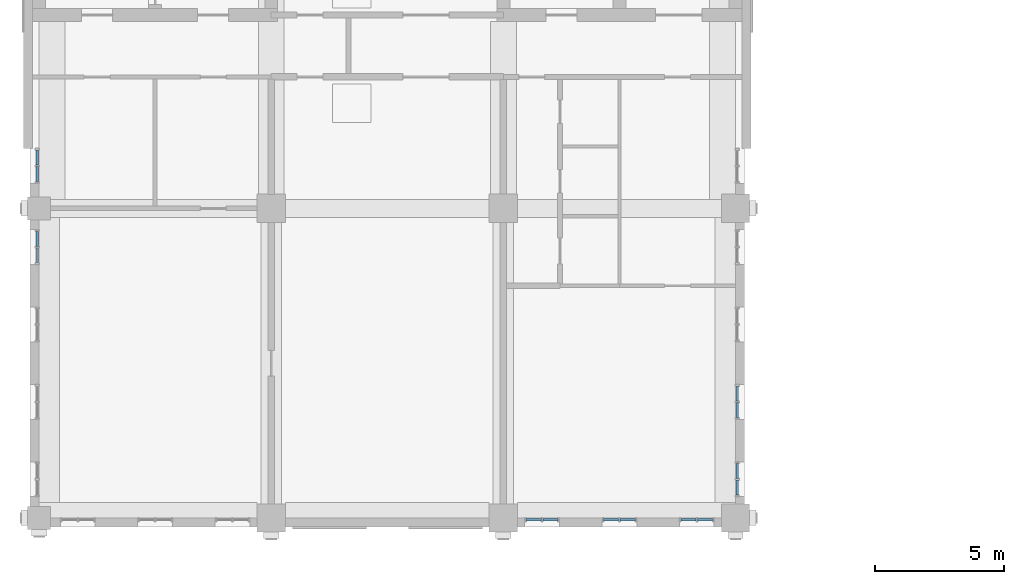
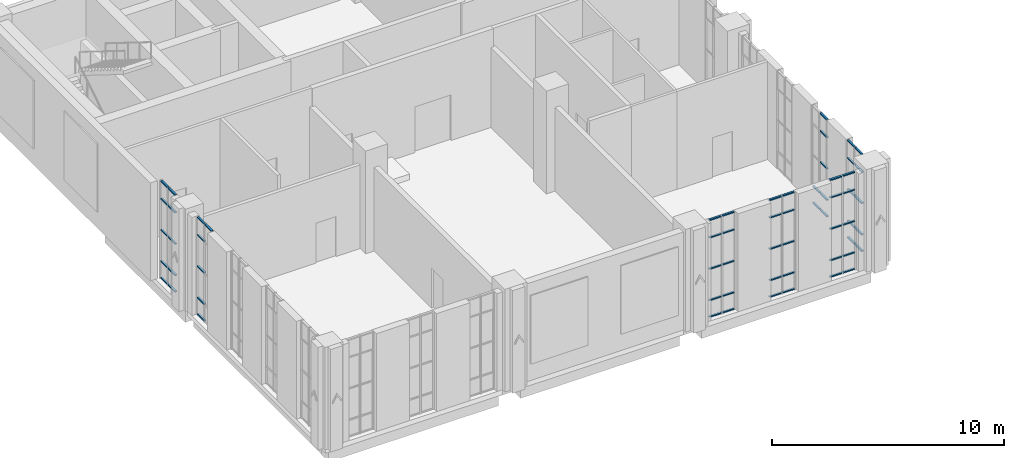
# One storey, part 7 of 22: 63 members, 7 elements without a shape of their own.
"""IFC4 building model written with IfcOpenShell, lengths in metres."""

import ifcopenshell
import ifcopenshell.guid

model = None  # the IFC model being written
_history = None  # IfcOwnerHistory: only IFC2X3 demands one
_inside = {}  # id of a spatial element -> (the spatial element, [elements in it])
_under = {}  # id of a project, library or spatial element -> (it, [spatial elements below it])
_declared = {}  # id of a project -> (the project, [libraries it declares])
_typed = {}  # id of a type object -> (the type object, [elements of that type])
_made_of = {}  # id of a material, layer set ... -> (it, [elements and type objects made of it])


def new_model(schema):
    """Start an empty IFC model of exactly this schema.

    Asked for "IFC4X3", IfcOpenShell would pick the latest addendum, in which some entities
    have other attributes; the version numbers below select the first issue.
    IFC2X3 requires an IfcOwnerHistory on every rooted entity: one is made here for all.
    """
    global model, _history
    if schema == "IFC4X3":
        model = ifcopenshell.file(schema_version=(4, 3, 0, 0))
    else:
        model = ifcopenshell.file(schema=schema)
    _inside.clear()
    _under.clear()
    _declared.clear()
    _typed.clear()
    _made_of.clear()
    _history = None
    if model.schema == "IFC2X3":
        org = make("IfcOrganization", Name="unknown")
        user = make(
            "IfcPersonAndOrganization",
            ThePerson=make("IfcPerson", FamilyName="unknown"),
            TheOrganization=org,
        )
        app = make(
            "IfcApplication",
            ApplicationDeveloper=org,
            Version="unknown",
            ApplicationFullName="unknown",
            ApplicationIdentifier="unknown",
        )
        _history = make(
            "IfcOwnerHistory",
            OwningUser=user,
            OwningApplication=app,
            ChangeAction="ADDED",
            CreationDate=0,
        )
    return model


def make(cls, **values):
    """One entity of the class cls with the attributes given. An attribute that is None is left unset."""
    return model.create_entity(
        cls, **{name: value for name, value in values.items() if value is not None}
    )


def rooted(cls, **values):
    """An entity with a GlobalId (a new one), such as an element, a storey or a relation."""
    return make(cls, GlobalId=ifcopenshell.guid.new(), OwnerHistory=_history, **values)


def si_unit(unit_type, name, prefix=None):
    """IfcSIUnit, for example si_unit("LENGTHUNIT", "METRE", prefix="MILLI")."""
    return make("IfcSIUnit", UnitType=unit_type, Prefix=prefix, Name=name)


def assignment(units):
    """IfcUnitAssignment: the units of a project."""
    return None if units is None else make("IfcUnitAssignment", Units=units)


def point(xyz):
    """IfcCartesianPoint."""
    return None if xyz is None else make("IfcCartesianPoint", Coordinates=xyz)


def direction(xyz):
    """IfcDirection."""
    return None if xyz is None else make("IfcDirection", DirectionRatios=xyz)


def frame(location, z_axis=None, x_axis=None):
    """IfcAxis2Placement3D, a coordinate frame: its origin and axes. An axis left out is left unset."""
    return make(
        "IfcAxis2Placement3D",
        Location=point(location),
        Axis=direction(z_axis),
        RefDirection=direction(x_axis),
    )


def frame_2d(location, x_axis=None):
    """IfcAxis2Placement2D, a coordinate frame in the plane: its origin and x axis."""
    return make(
        "IfcAxis2Placement2D", Location=point(location), RefDirection=direction(x_axis)
    )


def origin():
    """The frame at (0, 0, 0) with its axes left unset."""
    return frame((0.0, 0.0, 0.0))


def origin_2d():
    """The frame at (0, 0) in the plane with its x axis left unset."""
    return frame_2d((0.0, 0.0))


def place(relative_to, where):
    """IfcLocalPlacement: puts the frame where relative to a parent placement (None: the world)."""
    return make(
        "IfcLocalPlacement", PlacementRelTo=relative_to, RelativePlacement=where
    )


def context(
    kind, dimensions, precision=None, world=None, true_north=None, identifier=None
):
    """IfcGeometricRepresentationContext, for example the 3D "Model" context."""
    return make(
        "IfcGeometricRepresentationContext",
        ContextIdentifier=identifier,
        ContextType=kind,
        CoordinateSpaceDimension=dimensions,
        Precision=precision,
        WorldCoordinateSystem=world,
        TrueNorth=true_north,
    )


def subcontext(parent, identifier, kind, view, scale=None):
    """IfcGeometricRepresentationSubContext, for example "Body" below "Model"."""
    return make(
        "IfcGeometricRepresentationSubContext",
        ContextIdentifier=identifier,
        ContextType=kind,
        ParentContext=parent,
        TargetScale=scale,
        TargetView=view,
    )


def project(units=None, contexts=None):
    """IfcProject with its units and contexts."""
    return rooted(
        "IfcProject",
        Name="project",
        RepresentationContexts=contexts,
        UnitsInContext=assignment(units),
    )


def spatial(cls, under=None, at=None, **own):
    """A site, building, storey or space (cls), placed at a placement, below another one or the project."""
    s = rooted(cls, ObjectPlacement=at, **own)
    if under is not None:
        _under.setdefault(under.id(), (under, []))[1].append(s)
    return s


def profile(cls, at=None, kind="AREA", **sizes):
    """A parametric profile (cls). Its sizes go by their IFC names, for example OverallWidth=200.0."""
    return make(cls, ProfileType=kind, Position=at, **sizes)


def rectangle(**sizes):
    """IfcRectangleProfileDef."""
    return profile("IfcRectangleProfileDef", **sizes)


def extrude(swept, where, along, depth):
    """IfcExtrudedAreaSolid: the profile swept, set in the frame where, extruded along a direction by depth."""
    return make(
        "IfcExtrudedAreaSolid",
        SweptArea=swept,
        Position=where,
        ExtrudedDirection=direction(along),
        Depth=depth,
    )


def shape(context_of_items, identifier, shape_type, items):
    """IfcShapeRepresentation: the items that make up one representation, for example the "Body"."""
    return make(
        "IfcShapeRepresentation",
        ContextOfItems=context_of_items,
        RepresentationIdentifier=identifier,
        RepresentationType=shape_type,
        Items=items,
    )


def material(Name=None, Category=None):
    """IfcMaterial."""
    return make("IfcMaterial", Name=Name, Category=Category)


def layer(
    of_material, thickness, ventilated=None, Name=None, Category=None, Priority=None
):
    """IfcMaterialLayer: one layer of a wall or slab, of a material (None: an air gap)."""
    return make(
        "IfcMaterialLayer",
        Material=of_material,
        LayerThickness=thickness,
        IsVentilated=ventilated,
        Name=Name,
        Category=Category,
        Priority=Priority,
    )


def layer_set(layers, Name=None):
    """IfcMaterialLayerSet."""
    return make("IfcMaterialLayerSet", MaterialLayers=layers, LayerSetName=Name)


def material_profile(
    of_material, cross_section, Name=None, Category=None, Priority=None
):
    """IfcMaterialProfile: a cross section and its material."""
    return make(
        "IfcMaterialProfile",
        Name=Name,
        Material=of_material,
        Profile=cross_section,
        Priority=Priority,
        Category=Category,
    )


def profile_set(profiles, Name=None, composite=None):
    """IfcMaterialProfileSet."""
    return make(
        "IfcMaterialProfileSet",
        Name=Name,
        MaterialProfiles=profiles,
        CompositeProfile=composite,
    )


def made_of(thing, what):
    """Note that an element or type object is made of a material, layer set ...; save() writes the relation."""
    if what is not None:
        _made_of.setdefault(what.id(), (what, []))[1].append(thing)
    return thing


def type_object(cls, material=None, **own):
    """A type object (cls), such as IfcWallType, which elements share."""
    return made_of(rooted(cls, **own), material)


def element(
    cls,
    number,
    at=None,
    inside=None,
    cuts=None,
    type_object=None,
    material=None,
    context=None,
    identifier="Body",
    shape_type=None,
    held_by="IfcProductDefinitionShape",
    body=None,
    shapes=None,
    **own,
):
    """One element of the class cls, such as IfcWall. Its Tag is "e" and its number.

    at: its placement. inside: the storey or other place that contains it. cuts: it is an
    opening in that element (IfcRelVoidsElement). A single representation is given by context,
    identifier, shape_type and body (its items); several are given by shapes. held_by: the class
    of the entity that holds the representations. save() writes the other relations.
    """
    e = rooted(cls, Tag="e%d" % number, ObjectPlacement=at, **own)
    if body is not None:
        shapes = [shape(context, identifier, shape_type, body)]
    if shapes is not None:
        e.Representation = make(held_by, Representations=shapes)
    if inside is not None:
        _inside.setdefault(inside.id(), (inside, []))[1].append(e)
    if cuts is not None:
        rooted(
            "IfcRelVoidsElement", RelatingBuildingElement=cuts, RelatedOpeningElement=e
        )
    if type_object is not None:
        _typed.setdefault(type_object.id(), (type_object, []))[1].append(e)
    return made_of(e, material)


def aggregate(whole, parts):
    """IfcRelAggregates: a whole, such as a stair, and the parts it consists of."""
    return rooted("IfcRelAggregates", RelatingObject=whole, RelatedObjects=parts)


def save(model, path):
    """Write the relations noted so far, then the file.

    IfcRelAggregates (storeys below a building ...), IfcRelContainedInSpatialStructure (elements
    in a storey), IfcRelDefinesByType, IfcRelAssociatesMaterial and IfcRelDeclares: one each for
    every whole, place, type object, material and project.
    """
    for whole, parts in _under.values():
        aggregate(whole, parts)
    for where, things in _inside.values():
        rooted(
            "IfcRelContainedInSpatialStructure",
            RelatedElements=things,
            RelatingStructure=where,
        )
    for kind, things in _typed.values():
        rooted("IfcRelDefinesByType", RelatedObjects=things, RelatingType=kind)
    for what, things in _made_of.values():
        rooted("IfcRelAssociatesMaterial", RelatedObjects=things, RelatingMaterial=what)
    for by, libraries in _declared.values():
        rooted("IfcRelDeclares", RelatingContext=by, RelatedDefinitions=libraries)
    model.write(path)


model = new_model("IFC4")

# Units and contexts
model_context = context("Model", 3, precision=1e-05, world=origin(), true_north=direction((0.0, 1.0)))
body_context = subcontext(model_context, "Body", "Model", "MODEL_VIEW")
ifc_project = project(units=[si_unit("LENGTHUNIT", "METRE"), si_unit("AREAUNIT", "SQUARE_METRE"), si_unit("VOLUMEUNIT", "CUBIC_METRE"), si_unit("PLANEANGLEUNIT", "RADIAN"), si_unit("MASSUNIT", "GRAM", prefix="KILO")], contexts=[model_context])

# Site, building, storey
site_placement = place(None, origin())
site = spatial("IfcSite", under=ifc_project, at=site_placement, CompositionType="ELEMENT")
building_placement = place(site_placement, origin())
building = spatial("IfcBuilding", under=site, at=building_placement, Name="Aurelan Courthouse", CompositionType="ELEMENT")
storey_placement = place(building_placement, frame((0.0, 0.0, 39.0)))
storey = spatial("IfcBuildingStorey", under=building, at=storey_placement, Name="L07", CompositionType="ELEMENT", Elevation=39.0)

# Curtain wall, members
ifc_material_1 = material(Name="Bronze-finished aluminium and glass", Category="aluminium")
ifc_layer = layer(ifc_material_1, 0.14990234375)
ifc_layer_set = layer_set([ifc_layer], Name="Bronze-finished aluminium and glass")
curtain_wall_type = type_object("IfcCurtainWallType", Name="Curtain wall 1350 x 5150", PredefinedType="NOTDEFINED", material=ifc_layer_set)
curtain_wall_1_placement = place(storey_placement, origin())
curtain_wall_1 = element("IfcCurtainWall", 1, at=curtain_wall_1_placement, inside=storey, type_object=curtain_wall_type, Name="Curtain wall CW-V5-L07-S04", PredefinedType="NOTDEFINED")
ifc_material_2 = material(Name="Bronze-finished aluminium", Category="aluminium")
ifc_material_profile = material_profile(ifc_material_2, rectangle(XDim=0.10009765625, YDim=0.06005859375, at=origin_2d()), Name="Bronze transom 60 x 100")
ifc_profile_set = profile_set([ifc_material_profile], Name="Bronze-finished aluminium")
member_type = type_object("IfcMemberType", Name="Curtain wall transom 60 x 100", PredefinedType="USERDEFINED", material=ifc_profile_set)
member_1_placement = place(storey_placement, frame((18.885009765625, -0.074951171875, 0.030029296875), z_axis=(1.0, 0.0, 0.0), x_axis=(0.0, 1.0, 0.0)))
member_1 = element("IfcMember", 2, at=member_1_placement, type_object=member_type, Name="CW-V5-L07-S04 transom 1.1", ObjectType="TRANSOM", PredefinedType="USERDEFINED", context=body_context, shape_type="SweptSolid", body=[
    extrude(rectangle(XDim=0.10009765625, YDim=0.06005859375, at=origin_2d()), origin(), (0.0, 0.0, 1.0), 0.5849609375),
])
member_2_placement = place(storey_placement, frame((18.885009765625, -0.074951171875, 0.89990234375), z_axis=(1.0, 0.0, 0.0), x_axis=(0.0, 1.0, 0.0)))
member_2 = element("IfcMember", 3, at=member_2_placement, type_object=member_type, Name="CW-V5-L07-S04 transom 1.2", ObjectType="TRANSOM", PredefinedType="USERDEFINED", context=body_context, shape_type="SweptSolid", body=[
    extrude(rectangle(XDim=0.10009765625, YDim=0.06005859375, at=origin_2d()), origin(), (0.0, 0.0, 1.0), 0.5849609375),
])
member_3_placement = place(storey_placement, frame((18.885009765625, -0.074951171875, 2.550048828125), z_axis=(1.0, 0.0, 0.0), x_axis=(0.0, 1.0, 0.0)))
member_3 = element("IfcMember", 4, at=member_3_placement, type_object=member_type, Name="CW-V5-L07-S04 transom 1.3", ObjectType="TRANSOM", PredefinedType="USERDEFINED", context=body_context, shape_type="SweptSolid", body=[
    extrude(rectangle(XDim=0.10009765625, YDim=0.06005859375, at=origin_2d()), origin(), (0.0, 0.0, 1.0), 0.5849609375),
])
member_4_placement = place(storey_placement, frame((18.885009765625, -0.074951171875, 4.199951171875), z_axis=(1.0, 0.0, 0.0), x_axis=(0.0, 1.0, 0.0)))
member_4 = element("IfcMember", 5, at=member_4_placement, type_object=member_type, Name="CW-V5-L07-S04 transom 1.4", ObjectType="TRANSOM", PredefinedType="USERDEFINED", context=body_context, shape_type="SweptSolid", body=[
    extrude(rectangle(XDim=0.10009765625, YDim=0.06005859375, at=origin_2d()), origin(), (0.0, 0.0, 1.0), 0.5849609375),
])
member_5_placement = place(storey_placement, frame((18.885009765625, -0.074951171875, 5.1201171875), z_axis=(1.0, 0.0, 0.0), x_axis=(0.0, 1.0, 0.0)))
member_5 = element("IfcMember", 6, at=member_5_placement, type_object=member_type, Name="CW-V5-L07-S04 transom 1.5", ObjectType="TRANSOM", PredefinedType="USERDEFINED", context=body_context, shape_type="SweptSolid", body=[
    extrude(rectangle(XDim=0.10009765625, YDim=0.06005859375, at=origin_2d()), origin(), (0.0, 0.0, 1.0), 0.5849609375),
])
member_6_placement = place(storey_placement, frame((19.530029296875, -0.074951171875, 0.030029296875), z_axis=(1.0, 0.0, 0.0), x_axis=(0.0, 1.0, 0.0)))
member_6 = element("IfcMember", 7, at=member_6_placement, type_object=member_type, Name="CW-V5-L07-S04 transom 2.1", ObjectType="TRANSOM", PredefinedType="USERDEFINED", context=body_context, shape_type="SweptSolid", body=[
    extrude(rectangle(XDim=0.10009765625, YDim=0.06005859375, at=origin_2d()), origin(), (0.0, 0.0, 1.0), 0.5849609375),
])
member_7_placement = place(storey_placement, frame((19.530029296875, -0.074951171875, 0.89990234375), z_axis=(1.0, 0.0, 0.0), x_axis=(0.0, 1.0, 0.0)))
member_7 = element("IfcMember", 8, at=member_7_placement, type_object=member_type, Name="CW-V5-L07-S04 transom 2.2", ObjectType="TRANSOM", PredefinedType="USERDEFINED", context=body_context, shape_type="SweptSolid", body=[
    extrude(rectangle(XDim=0.10009765625, YDim=0.06005859375, at=origin_2d()), origin(), (0.0, 0.0, 1.0), 0.5849609375),
])
member_8_placement = place(storey_placement, frame((19.530029296875, -0.074951171875, 2.550048828125), z_axis=(1.0, 0.0, 0.0), x_axis=(0.0, 1.0, 0.0)))
member_8 = element("IfcMember", 9, at=member_8_placement, type_object=member_type, Name="CW-V5-L07-S04 transom 2.3", ObjectType="TRANSOM", PredefinedType="USERDEFINED", context=body_context, shape_type="SweptSolid", body=[
    extrude(rectangle(XDim=0.10009765625, YDim=0.06005859375, at=origin_2d()), origin(), (0.0, 0.0, 1.0), 0.5849609375),
])
member_9_placement = place(storey_placement, frame((19.530029296875, -0.074951171875, 4.199951171875), z_axis=(1.0, 0.0, 0.0), x_axis=(0.0, 1.0, 0.0)))
member_9 = element("IfcMember", 10, at=member_9_placement, type_object=member_type, Name="CW-V5-L07-S04 transom 2.4", ObjectType="TRANSOM", PredefinedType="USERDEFINED", context=body_context, shape_type="SweptSolid", body=[
    extrude(rectangle(XDim=0.10009765625, YDim=0.06005859375, at=origin_2d()), origin(), (0.0, 0.0, 1.0), 0.5849609375),
])
member_10_placement = place(storey_placement, frame((19.530029296875, -0.074951171875, 5.1201171875), z_axis=(1.0, 0.0, 0.0), x_axis=(0.0, 1.0, 0.0)))
member_10 = element("IfcMember", 11, at=member_10_placement, type_object=member_type, Name="CW-V5-L07-S04 transom 2.5", ObjectType="TRANSOM", PredefinedType="USERDEFINED", context=body_context, shape_type="SweptSolid", body=[
    extrude(rectangle(XDim=0.10009765625, YDim=0.06005859375, at=origin_2d()), origin(), (0.0, 0.0, 1.0), 0.5849609375),
])
aggregate(curtain_wall_1, [member_1, member_2, member_3, member_4, member_5, member_6, member_7, member_8, member_9, member_10])

curtain_wall_2_placement = place(storey_placement, origin())
curtain_wall_2 = element("IfcCurtainWall", 12, at=curtain_wall_2_placement, inside=storey, type_object=curtain_wall_type, Name="Curtain wall CW-V5-L07-S05", PredefinedType="NOTDEFINED")
member_11_placement = place(storey_placement, frame((21.885009765625, -0.074951171875, 0.030029296875), z_axis=(1.0, 0.0, 0.0), x_axis=(0.0, 1.0, 0.0)))
member_11 = element("IfcMember", 13, at=member_11_placement, type_object=member_type, Name="CW-V5-L07-S05 transom 1.1", ObjectType="TRANSOM", PredefinedType="USERDEFINED", context=body_context, shape_type="SweptSolid", body=[
    extrude(rectangle(XDim=0.10009765625, YDim=0.06005859375, at=origin_2d()), origin(), (0.0, 0.0, 1.0), 0.5849609375),
])
member_12_placement = place(storey_placement, frame((21.885009765625, -0.074951171875, 0.89990234375), z_axis=(1.0, 0.0, 0.0), x_axis=(0.0, 1.0, 0.0)))
member_12 = element("IfcMember", 14, at=member_12_placement, type_object=member_type, Name="CW-V5-L07-S05 transom 1.2", ObjectType="TRANSOM", PredefinedType="USERDEFINED", context=body_context, shape_type="SweptSolid", body=[
    extrude(rectangle(XDim=0.10009765625, YDim=0.06005859375, at=origin_2d()), origin(), (0.0, 0.0, 1.0), 0.5849609375),
])
member_13_placement = place(storey_placement, frame((21.885009765625, -0.074951171875, 2.550048828125), z_axis=(1.0, 0.0, 0.0), x_axis=(0.0, 1.0, 0.0)))
member_13 = element("IfcMember", 15, at=member_13_placement, type_object=member_type, Name="CW-V5-L07-S05 transom 1.3", ObjectType="TRANSOM", PredefinedType="USERDEFINED", context=body_context, shape_type="SweptSolid", body=[
    extrude(rectangle(XDim=0.10009765625, YDim=0.06005859375, at=origin_2d()), origin(), (0.0, 0.0, 1.0), 0.5849609375),
])
member_14_placement = place(storey_placement, frame((21.885009765625, -0.074951171875, 4.199951171875), z_axis=(1.0, 0.0, 0.0), x_axis=(0.0, 1.0, 0.0)))
member_14 = element("IfcMember", 16, at=member_14_placement, type_object=member_type, Name="CW-V5-L07-S05 transom 1.4", ObjectType="TRANSOM", PredefinedType="USERDEFINED", context=body_context, shape_type="SweptSolid", body=[
    extrude(rectangle(XDim=0.10009765625, YDim=0.06005859375, at=origin_2d()), origin(), (0.0, 0.0, 1.0), 0.5849609375),
])
member_15_placement = place(storey_placement, frame((21.885009765625, -0.074951171875, 5.1201171875), z_axis=(1.0, 0.0, 0.0), x_axis=(0.0, 1.0, 0.0)))
member_15 = element("IfcMember", 17, at=member_15_placement, type_object=member_type, Name="CW-V5-L07-S05 transom 1.5", ObjectType="TRANSOM", PredefinedType="USERDEFINED", context=body_context, shape_type="SweptSolid", body=[
    extrude(rectangle(XDim=0.10009765625, YDim=0.06005859375, at=origin_2d()), origin(), (0.0, 0.0, 1.0), 0.5849609375),
])
member_16_placement = place(storey_placement, frame((22.530029296875, -0.074951171875, 0.030029296875), z_axis=(1.0, 0.0, 0.0), x_axis=(0.0, 1.0, 0.0)))
member_16 = element("IfcMember", 18, at=member_16_placement, type_object=member_type, Name="CW-V5-L07-S05 transom 2.1", ObjectType="TRANSOM", PredefinedType="USERDEFINED", context=body_context, shape_type="SweptSolid", body=[
    extrude(rectangle(XDim=0.10009765625, YDim=0.06005859375, at=origin_2d()), origin(), (0.0, 0.0, 1.0), 0.5849609375),
])
member_17_placement = place(storey_placement, frame((22.530029296875, -0.074951171875, 0.89990234375), z_axis=(1.0, 0.0, 0.0), x_axis=(0.0, 1.0, 0.0)))
member_17 = element("IfcMember", 19, at=member_17_placement, type_object=member_type, Name="CW-V5-L07-S05 transom 2.2", ObjectType="TRANSOM", PredefinedType="USERDEFINED", context=body_context, shape_type="SweptSolid", body=[
    extrude(rectangle(XDim=0.10009765625, YDim=0.06005859375, at=origin_2d()), origin(), (0.0, 0.0, 1.0), 0.5849609375),
])
member_18_placement = place(storey_placement, frame((22.530029296875, -0.074951171875, 2.550048828125), z_axis=(1.0, 0.0, 0.0), x_axis=(0.0, 1.0, 0.0)))
member_18 = element("IfcMember", 20, at=member_18_placement, type_object=member_type, Name="CW-V5-L07-S05 transom 2.3", ObjectType="TRANSOM", PredefinedType="USERDEFINED", context=body_context, shape_type="SweptSolid", body=[
    extrude(rectangle(XDim=0.10009765625, YDim=0.06005859375, at=origin_2d()), origin(), (0.0, 0.0, 1.0), 0.5849609375),
])
member_19_placement = place(storey_placement, frame((22.530029296875, -0.074951171875, 4.199951171875), z_axis=(1.0, 0.0, 0.0), x_axis=(0.0, 1.0, 0.0)))
member_19 = element("IfcMember", 21, at=member_19_placement, type_object=member_type, Name="CW-V5-L07-S05 transom 2.4", ObjectType="TRANSOM", PredefinedType="USERDEFINED", context=body_context, shape_type="SweptSolid", body=[
    extrude(rectangle(XDim=0.10009765625, YDim=0.06005859375, at=origin_2d()), origin(), (0.0, 0.0, 1.0), 0.5849609375),
])
member_20_placement = place(storey_placement, frame((22.530029296875, -0.074951171875, 5.1201171875), z_axis=(1.0, 0.0, 0.0), x_axis=(0.0, 1.0, 0.0)))
member_20 = element("IfcMember", 22, at=member_20_placement, type_object=member_type, Name="CW-V5-L07-S05 transom 2.5", ObjectType="TRANSOM", PredefinedType="USERDEFINED", context=body_context, shape_type="SweptSolid", body=[
    extrude(rectangle(XDim=0.10009765625, YDim=0.06005859375, at=origin_2d()), origin(), (0.0, 0.0, 1.0), 0.5849609375),
])
aggregate(curtain_wall_2, [member_11, member_12, member_13, member_14, member_15, member_16, member_17, member_18, member_19, member_20])

curtain_wall_3_placement = place(storey_placement, origin())
curtain_wall_3 = element("IfcCurtainWall", 23, at=curtain_wall_3_placement, inside=storey, type_object=curtain_wall_type, Name="Curtain wall CW-V5-L07-S06", PredefinedType="NOTDEFINED")
member_21_placement = place(storey_placement, frame((24.885009765625, -0.074951171875, 0.030029296875), z_axis=(1.0, 0.0, 0.0), x_axis=(0.0, 1.0, 0.0)))
member_21 = element("IfcMember", 24, at=member_21_placement, type_object=member_type, Name="CW-V5-L07-S06 transom 1.1", ObjectType="TRANSOM", PredefinedType="USERDEFINED", context=body_context, shape_type="SweptSolid", body=[
    extrude(rectangle(XDim=0.10009765625, YDim=0.06005859375, at=origin_2d()), origin(), (0.0, 0.0, 1.0), 0.5849609375),
])
member_22_placement = place(storey_placement, frame((24.885009765625, -0.074951171875, 0.89990234375), z_axis=(1.0, 0.0, 0.0), x_axis=(0.0, 1.0, 0.0)))
member_22 = element("IfcMember", 25, at=member_22_placement, type_object=member_type, Name="CW-V5-L07-S06 transom 1.2", ObjectType="TRANSOM", PredefinedType="USERDEFINED", context=body_context, shape_type="SweptSolid", body=[
    extrude(rectangle(XDim=0.10009765625, YDim=0.06005859375, at=origin_2d()), origin(), (0.0, 0.0, 1.0), 0.5849609375),
])
member_23_placement = place(storey_placement, frame((24.885009765625, -0.074951171875, 2.550048828125), z_axis=(1.0, 0.0, 0.0), x_axis=(0.0, 1.0, 0.0)))
member_23 = element("IfcMember", 26, at=member_23_placement, type_object=member_type, Name="CW-V5-L07-S06 transom 1.3", ObjectType="TRANSOM", PredefinedType="USERDEFINED", context=body_context, shape_type="SweptSolid", body=[
    extrude(rectangle(XDim=0.10009765625, YDim=0.06005859375, at=origin_2d()), origin(), (0.0, 0.0, 1.0), 0.5849609375),
])
member_24_placement = place(storey_placement, frame((24.885009765625, -0.074951171875, 4.199951171875), z_axis=(1.0, 0.0, 0.0), x_axis=(0.0, 1.0, 0.0)))
member_24 = element("IfcMember", 27, at=member_24_placement, type_object=member_type, Name="CW-V5-L07-S06 transom 1.4", ObjectType="TRANSOM", PredefinedType="USERDEFINED", context=body_context, shape_type="SweptSolid", body=[
    extrude(rectangle(XDim=0.10009765625, YDim=0.06005859375, at=origin_2d()), origin(), (0.0, 0.0, 1.0), 0.5849609375),
])
member_25_placement = place(storey_placement, frame((24.885009765625, -0.074951171875, 5.1201171875), z_axis=(1.0, 0.0, 0.0), x_axis=(0.0, 1.0, 0.0)))
member_25 = element("IfcMember", 28, at=member_25_placement, type_object=member_type, Name="CW-V5-L07-S06 transom 1.5", ObjectType="TRANSOM", PredefinedType="USERDEFINED", context=body_context, shape_type="SweptSolid", body=[
    extrude(rectangle(XDim=0.10009765625, YDim=0.06005859375, at=origin_2d()), origin(), (0.0, 0.0, 1.0), 0.5849609375),
])
member_26_placement = place(storey_placement, frame((25.530029296875, -0.074951171875, 0.030029296875), z_axis=(1.0, 0.0, 0.0), x_axis=(0.0, 1.0, 0.0)))
member_26 = element("IfcMember", 29, at=member_26_placement, type_object=member_type, Name="CW-V5-L07-S06 transom 2.1", ObjectType="TRANSOM", PredefinedType="USERDEFINED", context=body_context, shape_type="SweptSolid", body=[
    extrude(rectangle(XDim=0.10009765625, YDim=0.06005859375, at=origin_2d()), origin(), (0.0, 0.0, 1.0), 0.5849609375),
])
member_27_placement = place(storey_placement, frame((25.530029296875, -0.074951171875, 0.89990234375), z_axis=(1.0, 0.0, 0.0), x_axis=(0.0, 1.0, 0.0)))
member_27 = element("IfcMember", 30, at=member_27_placement, type_object=member_type, Name="CW-V5-L07-S06 transom 2.2", ObjectType="TRANSOM", PredefinedType="USERDEFINED", context=body_context, shape_type="SweptSolid", body=[
    extrude(rectangle(XDim=0.10009765625, YDim=0.06005859375, at=origin_2d()), origin(), (0.0, 0.0, 1.0), 0.5849609375),
])
member_28_placement = place(storey_placement, frame((25.530029296875, -0.074951171875, 2.550048828125), z_axis=(1.0, 0.0, 0.0), x_axis=(0.0, 1.0, 0.0)))
member_28 = element("IfcMember", 31, at=member_28_placement, type_object=member_type, Name="CW-V5-L07-S06 transom 2.3", ObjectType="TRANSOM", PredefinedType="USERDEFINED", context=body_context, shape_type="SweptSolid", body=[
    extrude(rectangle(XDim=0.10009765625, YDim=0.06005859375, at=origin_2d()), origin(), (0.0, 0.0, 1.0), 0.5849609375),
])
member_29_placement = place(storey_placement, frame((25.530029296875, -0.074951171875, 4.199951171875), z_axis=(1.0, 0.0, 0.0), x_axis=(0.0, 1.0, 0.0)))
member_29 = element("IfcMember", 32, at=member_29_placement, type_object=member_type, Name="CW-V5-L07-S06 transom 2.4", ObjectType="TRANSOM", PredefinedType="USERDEFINED", context=body_context, shape_type="SweptSolid", body=[
    extrude(rectangle(XDim=0.10009765625, YDim=0.06005859375, at=origin_2d()), origin(), (0.0, 0.0, 1.0), 0.5849609375),
])
member_30_placement = place(storey_placement, frame((25.530029296875, -0.074951171875, 5.1201171875), z_axis=(1.0, 0.0, 0.0), x_axis=(0.0, 1.0, 0.0)))
member_30 = element("IfcMember", 33, at=member_30_placement, type_object=member_type, Name="CW-V5-L07-S06 transom 2.5", ObjectType="TRANSOM", PredefinedType="USERDEFINED", context=body_context, shape_type="SweptSolid", body=[
    extrude(rectangle(XDim=0.10009765625, YDim=0.06005859375, at=origin_2d()), origin(), (0.0, 0.0, 1.0), 0.5849609375),
])
aggregate(curtain_wall_3, [member_21, member_22, member_23, member_24, member_25, member_26, member_27, member_28, member_29, member_30])

curtain_wall_4_placement = place(storey_placement, origin())
curtain_wall_4 = element("IfcCurtainWall", 34, at=curtain_wall_4_placement, inside=storey, type_object=curtain_wall_type, Name="Curtain wall CW-V5-L07-E01", PredefinedType="NOTDEFINED")
member_31_placement = place(storey_placement, frame((27.074951171875, 0.885009765625, 0.030029296875), z_axis=(0.0, 1.0, 0.0), x_axis=(-1.0, 0.0, 0.0)))
member_31 = element("IfcMember", 35, at=member_31_placement, type_object=member_type, Name="CW-V5-L07-E01 transom 1.1", ObjectType="TRANSOM", PredefinedType="USERDEFINED", context=body_context, shape_type="SweptSolid", body=[
    extrude(rectangle(XDim=0.10009765625, YDim=0.06005859375, at=origin_2d()), origin(), (0.0, 0.0, 1.0), 0.5849609375),
])
member_32_placement = place(storey_placement, frame((27.074951171875, 0.885009765625, 0.89990234375), z_axis=(0.0, 1.0, 0.0), x_axis=(-1.0, 0.0, 0.0)))
member_32 = element("IfcMember", 36, at=member_32_placement, type_object=member_type, Name="CW-V5-L07-E01 transom 1.2", ObjectType="TRANSOM", PredefinedType="USERDEFINED", context=body_context, shape_type="SweptSolid", body=[
    extrude(rectangle(XDim=0.10009765625, YDim=0.06005859375, at=origin_2d()), origin(), (0.0, 0.0, 1.0), 0.5849609375),
])
member_33_placement = place(storey_placement, frame((27.074951171875, 0.885009765625, 2.550048828125), z_axis=(0.0, 1.0, 0.0), x_axis=(-1.0, 0.0, 0.0)))
member_33 = element("IfcMember", 37, at=member_33_placement, type_object=member_type, Name="CW-V5-L07-E01 transom 1.3", ObjectType="TRANSOM", PredefinedType="USERDEFINED", context=body_context, shape_type="SweptSolid", body=[
    extrude(rectangle(XDim=0.10009765625, YDim=0.06005859375, at=origin_2d()), origin(), (0.0, 0.0, 1.0), 0.5849609375),
])
member_34_placement = place(storey_placement, frame((27.074951171875, 0.885009765625, 4.199951171875), z_axis=(0.0, 1.0, 0.0), x_axis=(-1.0, 0.0, 0.0)))
member_34 = element("IfcMember", 38, at=member_34_placement, type_object=member_type, Name="CW-V5-L07-E01 transom 1.4", ObjectType="TRANSOM", PredefinedType="USERDEFINED", context=body_context, shape_type="SweptSolid", body=[
    extrude(rectangle(XDim=0.10009765625, YDim=0.06005859375, at=origin_2d()), origin(), (0.0, 0.0, 1.0), 0.5849609375),
])
member_35_placement = place(storey_placement, frame((27.074951171875, 0.885009765625, 5.1201171875), z_axis=(0.0, 1.0, 0.0), x_axis=(-1.0, 0.0, 0.0)))
member_35 = element("IfcMember", 39, at=member_35_placement, type_object=member_type, Name="CW-V5-L07-E01 transom 1.5", ObjectType="TRANSOM", PredefinedType="USERDEFINED", context=body_context, shape_type="SweptSolid", body=[
    extrude(rectangle(XDim=0.10009765625, YDim=0.06005859375, at=origin_2d()), origin(), (0.0, 0.0, 1.0), 0.5849609375),
])
member_36_placement = place(storey_placement, frame((27.074951171875, 1.530029296875, 0.030029296875), z_axis=(0.0, 1.0, 0.0), x_axis=(-1.0, 0.0, 0.0)))
member_36 = element("IfcMember", 40, at=member_36_placement, type_object=member_type, Name="CW-V5-L07-E01 transom 2.1", ObjectType="TRANSOM", PredefinedType="USERDEFINED", context=body_context, shape_type="SweptSolid", body=[
    extrude(rectangle(XDim=0.10009765625, YDim=0.06005859375, at=origin_2d()), origin(), (0.0, 0.0, 1.0), 0.5849609375),
])
member_37_placement = place(storey_placement, frame((27.074951171875, 1.530029296875, 0.89990234375), z_axis=(0.0, 1.0, 0.0), x_axis=(-1.0, 0.0, 0.0)))
member_37 = element("IfcMember", 41, at=member_37_placement, type_object=member_type, Name="CW-V5-L07-E01 transom 2.2", ObjectType="TRANSOM", PredefinedType="USERDEFINED", context=body_context, shape_type="SweptSolid", body=[
    extrude(rectangle(XDim=0.10009765625, YDim=0.06005859375, at=origin_2d()), origin(), (0.0, 0.0, 1.0), 0.5849609375),
])
member_38_placement = place(storey_placement, frame((27.074951171875, 1.530029296875, 2.550048828125), z_axis=(0.0, 1.0, 0.0), x_axis=(-1.0, 0.0, 0.0)))
member_38 = element("IfcMember", 42, at=member_38_placement, type_object=member_type, Name="CW-V5-L07-E01 transom 2.3", ObjectType="TRANSOM", PredefinedType="USERDEFINED", context=body_context, shape_type="SweptSolid", body=[
    extrude(rectangle(XDim=0.10009765625, YDim=0.06005859375, at=origin_2d()), origin(), (0.0, 0.0, 1.0), 0.5849609375),
])
member_39_placement = place(storey_placement, frame((27.074951171875, 1.530029296875, 4.199951171875), z_axis=(0.0, 1.0, 0.0), x_axis=(-1.0, 0.0, 0.0)))
member_39 = element("IfcMember", 43, at=member_39_placement, type_object=member_type, Name="CW-V5-L07-E01 transom 2.4", ObjectType="TRANSOM", PredefinedType="USERDEFINED", context=body_context, shape_type="SweptSolid", body=[
    extrude(rectangle(XDim=0.10009765625, YDim=0.06005859375, at=origin_2d()), origin(), (0.0, 0.0, 1.0), 0.5849609375),
])
member_40_placement = place(storey_placement, frame((27.074951171875, 1.530029296875, 5.1201171875), z_axis=(0.0, 1.0, 0.0), x_axis=(-1.0, 0.0, 0.0)))
member_40 = element("IfcMember", 44, at=member_40_placement, type_object=member_type, Name="CW-V5-L07-E01 transom 2.5", ObjectType="TRANSOM", PredefinedType="USERDEFINED", context=body_context, shape_type="SweptSolid", body=[
    extrude(rectangle(XDim=0.10009765625, YDim=0.06005859375, at=origin_2d()), origin(), (0.0, 0.0, 1.0), 0.5849609375),
])
aggregate(curtain_wall_4, [member_31, member_32, member_33, member_34, member_35, member_36, member_37, member_38, member_39, member_40])

curtain_wall_5_placement = place(storey_placement, origin())
curtain_wall_5 = element("IfcCurtainWall", 45, at=curtain_wall_5_placement, inside=storey, type_object=curtain_wall_type, Name="Curtain wall CW-V5-L07-E02", PredefinedType="NOTDEFINED")
member_41_placement = place(storey_placement, frame((27.074951171875, 3.885009765625, 0.030029296875), z_axis=(0.0, 1.0, 0.0), x_axis=(-1.0, 0.0, 0.0)))
member_41 = element("IfcMember", 46, at=member_41_placement, type_object=member_type, Name="CW-V5-L07-E02 transom 1.1", ObjectType="TRANSOM", PredefinedType="USERDEFINED", context=body_context, shape_type="SweptSolid", body=[
    extrude(rectangle(XDim=0.10009765625, YDim=0.06005859375, at=origin_2d()), origin(), (0.0, 0.0, 1.0), 0.5849609375),
])
member_42_placement = place(storey_placement, frame((27.074951171875, 3.885009765625, 0.89990234375), z_axis=(0.0, 1.0, 0.0), x_axis=(-1.0, 0.0, 0.0)))
member_42 = element("IfcMember", 47, at=member_42_placement, type_object=member_type, Name="CW-V5-L07-E02 transom 1.2", ObjectType="TRANSOM", PredefinedType="USERDEFINED", context=body_context, shape_type="SweptSolid", body=[
    extrude(rectangle(XDim=0.10009765625, YDim=0.06005859375, at=origin_2d()), origin(), (0.0, 0.0, 1.0), 0.5849609375),
])
member_43_placement = place(storey_placement, frame((27.074951171875, 3.885009765625, 2.550048828125), z_axis=(0.0, 1.0, 0.0), x_axis=(-1.0, 0.0, 0.0)))
member_43 = element("IfcMember", 48, at=member_43_placement, type_object=member_type, Name="CW-V5-L07-E02 transom 1.3", ObjectType="TRANSOM", PredefinedType="USERDEFINED", context=body_context, shape_type="SweptSolid", body=[
    extrude(rectangle(XDim=0.10009765625, YDim=0.06005859375, at=origin_2d()), origin(), (0.0, 0.0, 1.0), 0.5849609375),
])
member_44_placement = place(storey_placement, frame((27.074951171875, 3.885009765625, 4.199951171875), z_axis=(0.0, 1.0, 0.0), x_axis=(-1.0, 0.0, 0.0)))
member_44 = element("IfcMember", 49, at=member_44_placement, type_object=member_type, Name="CW-V5-L07-E02 transom 1.4", ObjectType="TRANSOM", PredefinedType="USERDEFINED", context=body_context, shape_type="SweptSolid", body=[
    extrude(rectangle(XDim=0.10009765625, YDim=0.06005859375, at=origin_2d()), origin(), (0.0, 0.0, 1.0), 0.5849609375),
])
member_45_placement = place(storey_placement, frame((27.074951171875, 3.885009765625, 5.1201171875), z_axis=(0.0, 1.0, 0.0), x_axis=(-1.0, 0.0, 0.0)))
member_45 = element("IfcMember", 50, at=member_45_placement, type_object=member_type, Name="CW-V5-L07-E02 transom 1.5", ObjectType="TRANSOM", PredefinedType="USERDEFINED", context=body_context, shape_type="SweptSolid", body=[
    extrude(rectangle(XDim=0.10009765625, YDim=0.06005859375, at=origin_2d()), origin(), (0.0, 0.0, 1.0), 0.5849609375),
])
member_46_placement = place(storey_placement, frame((27.074951171875, 4.530029296875, 0.030029296875), z_axis=(0.0, 1.0, 0.0), x_axis=(-1.0, 0.0, 0.0)))
member_46 = element("IfcMember", 51, at=member_46_placement, type_object=member_type, Name="CW-V5-L07-E02 transom 2.1", ObjectType="TRANSOM", PredefinedType="USERDEFINED", context=body_context, shape_type="SweptSolid", body=[
    extrude(rectangle(XDim=0.10009765625, YDim=0.06005859375, at=origin_2d()), origin(), (0.0, 0.0, 1.0), 0.5849609375),
])
member_47_placement = place(storey_placement, frame((27.074951171875, 4.530029296875, 0.89990234375), z_axis=(0.0, 1.0, 0.0), x_axis=(-1.0, 0.0, 0.0)))
member_47 = element("IfcMember", 52, at=member_47_placement, type_object=member_type, Name="CW-V5-L07-E02 transom 2.2", ObjectType="TRANSOM", PredefinedType="USERDEFINED", context=body_context, shape_type="SweptSolid", body=[
    extrude(rectangle(XDim=0.10009765625, YDim=0.06005859375, at=origin_2d()), origin(), (0.0, 0.0, 1.0), 0.5849609375),
])
aggregate(curtain_wall_5, [member_41, member_42, member_43, member_44, member_45, member_46, member_47])

curtain_wall_6_placement = place(storey_placement, origin())
curtain_wall_6 = element("IfcCurtainWall", 53, at=curtain_wall_6_placement, inside=storey, type_object=curtain_wall_type, Name="Curtain wall CW-V5-L07-W04", PredefinedType="NOTDEFINED")
member_48_placement = place(storey_placement, frame((-0.074951171875, 9.885009765625, 5.1201171875), z_axis=(0.0, 1.0, 0.0), x_axis=(-1.0, 0.0, 0.0)))
member_48 = element("IfcMember", 54, at=member_48_placement, type_object=member_type, Name="CW-V5-L07-W04 transom 1.5", ObjectType="TRANSOM", PredefinedType="USERDEFINED", context=body_context, shape_type="SweptSolid", body=[
    extrude(rectangle(XDim=0.10009765625, YDim=0.06005859375, at=origin_2d()), origin(), (0.0, 0.0, 1.0), 0.5849609375),
])
member_49_placement = place(storey_placement, frame((-0.074951171875, 10.530029296875, 0.030029296875), z_axis=(0.0, 1.0, 0.0), x_axis=(-1.0, 0.0, 0.0)))
member_49 = element("IfcMember", 55, at=member_49_placement, type_object=member_type, Name="CW-V5-L07-W04 transom 2.1", ObjectType="TRANSOM", PredefinedType="USERDEFINED", context=body_context, shape_type="SweptSolid", body=[
    extrude(rectangle(XDim=0.10009765625, YDim=0.06005859375, at=origin_2d()), origin(), (0.0, 0.0, 1.0), 0.5849609375),
])
member_50_placement = place(storey_placement, frame((-0.074951171875, 10.530029296875, 0.89990234375), z_axis=(0.0, 1.0, 0.0), x_axis=(-1.0, 0.0, 0.0)))
member_50 = element("IfcMember", 56, at=member_50_placement, type_object=member_type, Name="CW-V5-L07-W04 transom 2.2", ObjectType="TRANSOM", PredefinedType="USERDEFINED", context=body_context, shape_type="SweptSolid", body=[
    extrude(rectangle(XDim=0.10009765625, YDim=0.06005859375, at=origin_2d()), origin(), (0.0, 0.0, 1.0), 0.5849609375),
])
member_51_placement = place(storey_placement, frame((-0.074951171875, 10.530029296875, 2.550048828125), z_axis=(0.0, 1.0, 0.0), x_axis=(-1.0, 0.0, 0.0)))
member_51 = element("IfcMember", 57, at=member_51_placement, type_object=member_type, Name="CW-V5-L07-W04 transom 2.3", ObjectType="TRANSOM", PredefinedType="USERDEFINED", context=body_context, shape_type="SweptSolid", body=[
    extrude(rectangle(XDim=0.10009765625, YDim=0.06005859375, at=origin_2d()), origin(), (0.0, 0.0, 1.0), 0.5849609375),
])
member_52_placement = place(storey_placement, frame((-0.074951171875, 10.530029296875, 4.199951171875), z_axis=(0.0, 1.0, 0.0), x_axis=(-1.0, 0.0, 0.0)))
member_52 = element("IfcMember", 58, at=member_52_placement, type_object=member_type, Name="CW-V5-L07-W04 transom 2.4", ObjectType="TRANSOM", PredefinedType="USERDEFINED", context=body_context, shape_type="SweptSolid", body=[
    extrude(rectangle(XDim=0.10009765625, YDim=0.06005859375, at=origin_2d()), origin(), (0.0, 0.0, 1.0), 0.5849609375),
])
member_53_placement = place(storey_placement, frame((-0.074951171875, 10.530029296875, 5.1201171875), z_axis=(0.0, 1.0, 0.0), x_axis=(-1.0, 0.0, 0.0)))
member_53 = element("IfcMember", 59, at=member_53_placement, type_object=member_type, Name="CW-V5-L07-W04 transom 2.5", ObjectType="TRANSOM", PredefinedType="USERDEFINED", context=body_context, shape_type="SweptSolid", body=[
    extrude(rectangle(XDim=0.10009765625, YDim=0.06005859375, at=origin_2d()), origin(), (0.0, 0.0, 1.0), 0.5849609375),
])
aggregate(curtain_wall_6, [member_48, member_49, member_50, member_51, member_52, member_53])

curtain_wall_7_placement = place(storey_placement, origin())
curtain_wall_7 = element("IfcCurtainWall", 60, at=curtain_wall_7_placement, inside=storey, type_object=curtain_wall_type, Name="Curtain wall CW-V5-L07-W05", PredefinedType="NOTDEFINED")
member_54_placement = place(storey_placement, frame((-0.074951171875, 13.034912109375, 0.030029296875), z_axis=(0.0, 1.0, 0.0), x_axis=(-1.0, 0.0, 0.0)))
member_54 = element("IfcMember", 61, at=member_54_placement, type_object=member_type, Name="CW-V5-L07-W05 transom 1.1", ObjectType="TRANSOM", PredefinedType="USERDEFINED", context=body_context, shape_type="SweptSolid", body=[
    extrude(rectangle(XDim=0.10009765625, YDim=0.06005859375, at=origin_2d()), origin(), (0.0, 0.0, 1.0), 0.585205078125),
])
member_55_placement = place(storey_placement, frame((-0.074951171875, 13.034912109375, 0.89990234375), z_axis=(0.0, 1.0, 0.0), x_axis=(-1.0, 0.0, 0.0)))
member_55 = element("IfcMember", 62, at=member_55_placement, type_object=member_type, Name="CW-V5-L07-W05 transom 1.2", ObjectType="TRANSOM", PredefinedType="USERDEFINED", context=body_context, shape_type="SweptSolid", body=[
    extrude(rectangle(XDim=0.10009765625, YDim=0.06005859375, at=origin_2d()), origin(), (0.0, 0.0, 1.0), 0.585205078125),
])
member_56_placement = place(storey_placement, frame((-0.074951171875, 13.034912109375, 2.550048828125), z_axis=(0.0, 1.0, 0.0), x_axis=(-1.0, 0.0, 0.0)))
member_56 = element("IfcMember", 63, at=member_56_placement, type_object=member_type, Name="CW-V5-L07-W05 transom 1.3", ObjectType="TRANSOM", PredefinedType="USERDEFINED", context=body_context, shape_type="SweptSolid", body=[
    extrude(rectangle(XDim=0.10009765625, YDim=0.06005859375, at=origin_2d()), origin(), (0.0, 0.0, 1.0), 0.585205078125),
])
member_57_placement = place(storey_placement, frame((-0.074951171875, 13.034912109375, 4.199951171875), z_axis=(0.0, 1.0, 0.0), x_axis=(-1.0, 0.0, 0.0)))
member_57 = element("IfcMember", 64, at=member_57_placement, type_object=member_type, Name="CW-V5-L07-W05 transom 1.4", ObjectType="TRANSOM", PredefinedType="USERDEFINED", context=body_context, shape_type="SweptSolid", body=[
    extrude(rectangle(XDim=0.10009765625, YDim=0.06005859375, at=origin_2d()), origin(), (0.0, 0.0, 1.0), 0.585205078125),
])
member_58_placement = place(storey_placement, frame((-0.074951171875, 13.034912109375, 5.1201171875), z_axis=(0.0, 1.0, 0.0), x_axis=(-1.0, 0.0, 0.0)))
member_58 = element("IfcMember", 65, at=member_58_placement, type_object=member_type, Name="CW-V5-L07-W05 transom 1.5", ObjectType="TRANSOM", PredefinedType="USERDEFINED", context=body_context, shape_type="SweptSolid", body=[
    extrude(rectangle(XDim=0.10009765625, YDim=0.06005859375, at=origin_2d()), origin(), (0.0, 0.0, 1.0), 0.585205078125),
])
member_59_placement = place(storey_placement, frame((-0.074951171875, 13.679931640625, 0.030029296875), z_axis=(0.0, 1.0, 0.0), x_axis=(-1.0, 0.0, 0.0)))
member_59 = element("IfcMember", 66, at=member_59_placement, type_object=member_type, Name="CW-V5-L07-W05 transom 2.1", ObjectType="TRANSOM", PredefinedType="USERDEFINED", context=body_context, shape_type="SweptSolid", body=[
    extrude(rectangle(XDim=0.10009765625, YDim=0.06005859375, at=origin_2d()), origin(), (0.0, 0.0, 1.0), 0.5849609375),
])
member_60_placement = place(storey_placement, frame((-0.074951171875, 13.679931640625, 0.89990234375), z_axis=(0.0, 1.0, 0.0), x_axis=(-1.0, 0.0, 0.0)))
member_60 = element("IfcMember", 67, at=member_60_placement, type_object=member_type, Name="CW-V5-L07-W05 transom 2.2", ObjectType="TRANSOM", PredefinedType="USERDEFINED", context=body_context, shape_type="SweptSolid", body=[
    extrude(rectangle(XDim=0.10009765625, YDim=0.06005859375, at=origin_2d()), origin(), (0.0, 0.0, 1.0), 0.5849609375),
])
member_61_placement = place(storey_placement, frame((-0.074951171875, 13.679931640625, 2.550048828125), z_axis=(0.0, 1.0, 0.0), x_axis=(-1.0, 0.0, 0.0)))
member_61 = element("IfcMember", 68, at=member_61_placement, type_object=member_type, Name="CW-V5-L07-W05 transom 2.3", ObjectType="TRANSOM", PredefinedType="USERDEFINED", context=body_context, shape_type="SweptSolid", body=[
    extrude(rectangle(XDim=0.10009765625, YDim=0.06005859375, at=origin_2d()), origin(), (0.0, 0.0, 1.0), 0.5849609375),
])
member_62_placement = place(storey_placement, frame((-0.074951171875, 13.679931640625, 4.199951171875), z_axis=(0.0, 1.0, 0.0), x_axis=(-1.0, 0.0, 0.0)))
member_62 = element("IfcMember", 69, at=member_62_placement, type_object=member_type, Name="CW-V5-L07-W05 transom 2.4", ObjectType="TRANSOM", PredefinedType="USERDEFINED", context=body_context, shape_type="SweptSolid", body=[
    extrude(rectangle(XDim=0.10009765625, YDim=0.06005859375, at=origin_2d()), origin(), (0.0, 0.0, 1.0), 0.5849609375),
])
member_63_placement = place(storey_placement, frame((-0.074951171875, 13.679931640625, 5.1201171875), z_axis=(0.0, 1.0, 0.0), x_axis=(-1.0, 0.0, 0.0)))
member_63 = element("IfcMember", 70, at=member_63_placement, type_object=member_type, Name="CW-V5-L07-W05 transom 2.5", ObjectType="TRANSOM", PredefinedType="USERDEFINED", context=body_context, shape_type="SweptSolid", body=[
    extrude(rectangle(XDim=0.10009765625, YDim=0.06005859375, at=origin_2d()), origin(), (0.0, 0.0, 1.0), 0.5849609375),
])
aggregate(curtain_wall_7, [member_54, member_55, member_56, member_57, member_58, member_59, member_60, member_61, member_62, member_63])

save(model, "model.ifc")
